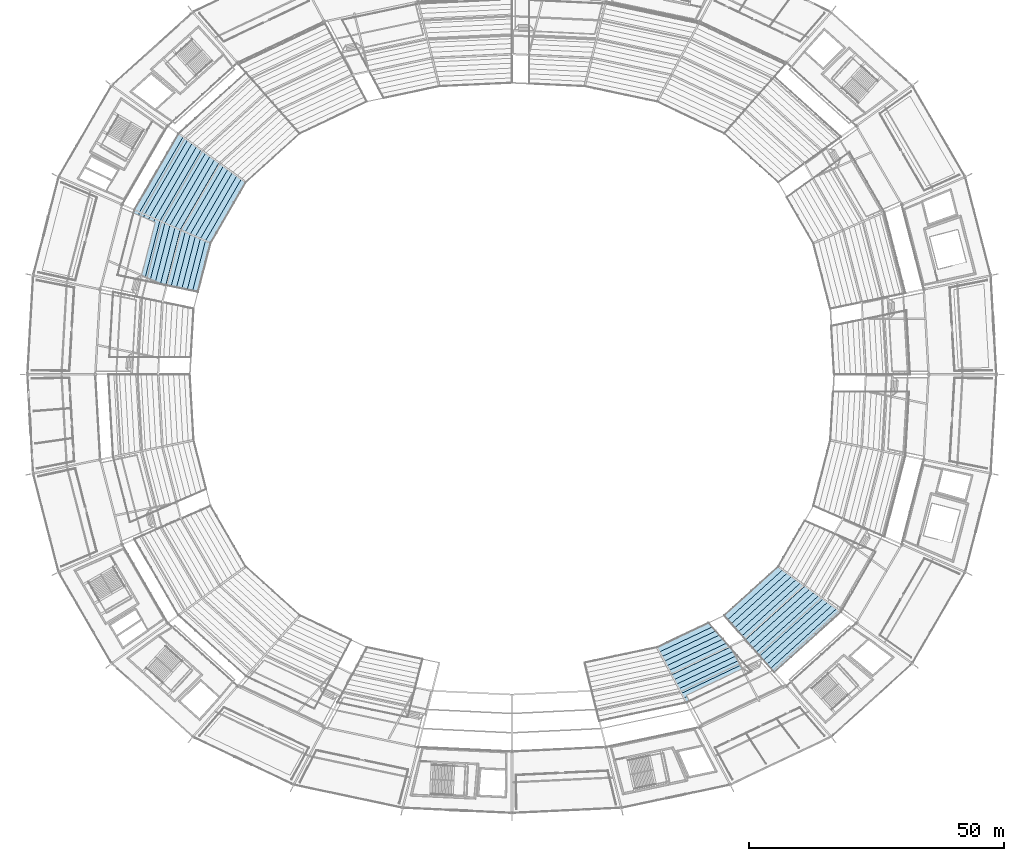
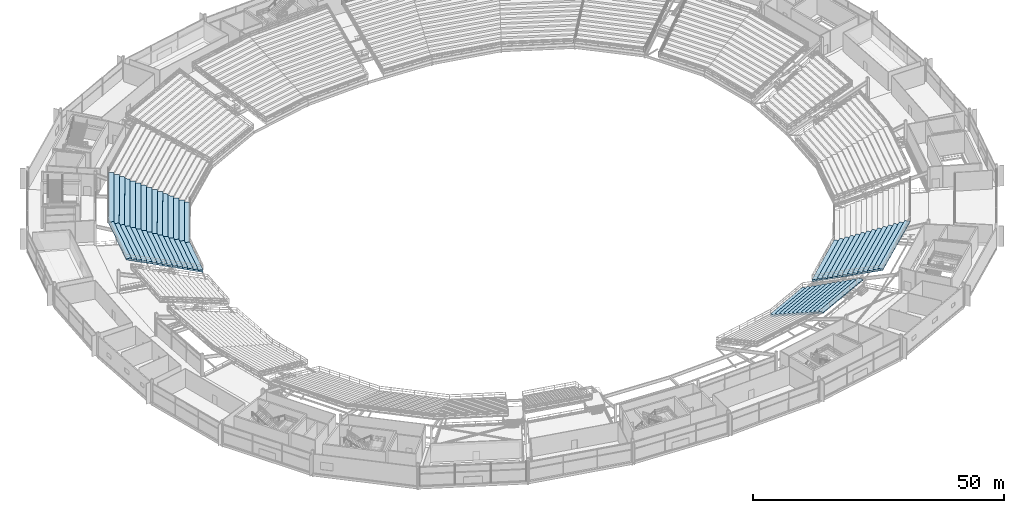
# One storey, part 135 of 186: 4 slabs.
"""IFC4 building model written with IfcOpenShell, lengths in metres."""

from ifc_helpers import new_model, si_unit, direction, frame, origin, place, context, subcontext, project, spatial, polygons, material, layer, layer_set, type_object, element, save


model = new_model("IFC4")

# Units and contexts
model_context = context("Model", 3, precision=1e-05, world=origin(), true_north=direction((0.0, 1.0)))
body_context = subcontext(model_context, "Body", "Model", "MODEL_VIEW")
ifc_project = project(units=[si_unit("LENGTHUNIT", "METRE"), si_unit("AREAUNIT", "SQUARE_METRE"), si_unit("VOLUMEUNIT", "CUBIC_METRE"), si_unit("PLANEANGLEUNIT", "RADIAN"), si_unit("MASSUNIT", "GRAM", prefix="KILO")], contexts=[model_context])

# Site, building, storey
site_placement = place(None, origin())
site = spatial("IfcSite", under=ifc_project, at=site_placement, CompositionType="ELEMENT")
building_placement = place(site_placement, origin())
building = spatial("IfcBuilding", under=site, at=building_placement, Name="Kazemori Nagisa Stadium", CompositionType="ELEMENT")
storey_placement = place(building_placement, frame((0.0, 0.0, 20.39990234375)))
storey = spatial("IfcBuildingStorey", under=building, at=storey_placement, Name="L04", CompositionType="ELEMENT", Elevation=20.39990234375)

# Slabs
ifc_material = material(Name="Concrete C36/45 (Fc36)", Category="concrete")
ifc_layer_1 = layer(ifc_material, 5.5400390625, Name="Concrete C36/45 (Fc36)", Category="concrete")
ifc_layer_set_1 = layer_set([ifc_layer_1], Name="Concrete C36/45 (Fc36)")
slab_type_1 = type_object("IfcSlabType", Name="SeatingTier_ST-UP-12S", PredefinedType="USERDEFINED", material=ifc_layer_set_1)
slab_1_placement = place(storey_placement, frame((0.0, 0.0, -20.39990234375)))
element("IfcSlab", 1, at=slab_1_placement, inside=storey, type_object=slab_type_1, Name="Stand upper tier bay 24", ObjectType="SEATING TIER", PredefinedType="USERDEFINED", context=body_context, shape_type="Tessellation", body=[
    polygons([(161.556640625, 53.28662109375, 18.820068359375), (161.556640625, 53.28662109375, 19.52001953125), (162.2578125, 52.49072265625, 19.52001953125), (162.2578125, 52.49072265625, 19.9599609375), (162.958984375, 51.69482421875, 19.9599609375), (162.958984375, 51.69482421875, 20.39990234375), (163.659912109375, 50.89892578125, 20.39990234375), (163.659912109375, 50.89892578125, 20.83984375), (164.361083984375, 50.103271484375, 20.83984375), (164.361083984375, 50.103271484375, 21.27978515625), (165.062255859375, 49.307373046875, 21.27978515625), (165.062255859375, 49.307373046875, 21.7197265625), (165.76318359375, 48.511474609375, 21.7197265625), (165.76318359375, 48.511474609375, 22.15966796875), (166.46435546875, 47.715576171875, 22.15966796875), (166.46435546875, 47.715576171875, 22.599609375), (167.16552734375, 46.919677734375, 22.599609375), (167.16552734375, 46.919677734375, 23.03955078125), (167.86669921875, 46.1240234375, 23.03955078125), (167.86669921875, 46.1240234375, 23.4794921875), (168.56787109375, 45.328125, 23.4794921875), (168.56787109375, 45.328125, 23.91943359375), (169.268798828125, 44.5322265625, 23.91943359375), (169.268798828125, 44.5322265625, 24.359375), (169.969970703125, 43.736328125, 24.359375), (169.969970703125, 43.736328125, 24.099365234375), (169.268798828125, 44.5322265625, 23.659423828125), (168.56787109375, 45.328125, 23.219482421875), (167.86669921875, 46.1240234375, 22.779541015625), (167.16552734375, 46.919677734375, 22.339599609375), (166.46435546875, 47.715576171875, 21.899658203125), (165.76318359375, 48.511474609375, 21.459716796875), (165.062255859375, 49.307373046875, 21.019775390625), (164.361083984375, 50.103271484375, 20.579833984375), (163.659912109375, 50.89892578125, 20.139892578125), (162.958984375, 51.69482421875, 19.699951171875), (162.2578125, 52.49072265625, 19.260009765625), (151.465087890625, 48.4912109375, 18.820068359375), (151.465087890625, 48.4912109375, 19.52001953125), (151.944580078125, 47.590087890625, 19.52001953125), (151.944580078125, 47.590087890625, 19.9599609375), (152.423828125, 46.688720703125, 19.9599609375), (152.423828125, 46.688720703125, 20.39990234375), (152.9033203125, 45.78759765625, 20.39990234375), (152.9033203125, 45.78759765625, 20.83984375), (153.3828125, 44.886474609375, 20.83984375), (153.3828125, 44.886474609375, 21.27978515625), (153.862060546875, 43.985107421875, 21.27978515625), (153.862060546875, 43.985107421875, 21.7197265625), (154.341552734375, 43.083984375, 21.7197265625), (154.341552734375, 43.083984375, 22.15966796875), (154.821044921875, 42.182861328125, 22.15966796875), (154.821044921875, 42.182861328125, 22.599609375), (155.30029296875, 41.281494140625, 22.599609375), (155.30029296875, 41.281494140625, 23.03955078125), (155.77978515625, 40.38037109375, 23.03955078125), (155.77978515625, 40.38037109375, 23.4794921875), (156.25927734375, 39.479248046875, 23.4794921875), (156.25927734375, 39.479248046875, 23.91943359375), (156.738525390625, 38.577880859375, 23.91943359375), (156.738525390625, 38.577880859375, 24.359375), (157.218017578125, 37.6767578125, 24.359375), (157.218017578125, 37.6767578125, 24.099365234375), (156.738525390625, 38.577880859375, 23.659423828125), (156.25927734375, 39.479248046875, 23.219482421875), (155.77978515625, 40.38037109375, 22.779541015625), (155.30029296875, 41.281494140625, 22.339599609375), (154.821044921875, 42.182861328125, 21.899658203125), (154.341552734375, 43.083984375, 21.459716796875), (153.862060546875, 43.985107421875, 21.019775390625), (153.3828125, 44.886474609375, 20.579833984375), (152.9033203125, 45.78759765625, 20.139892578125), (152.423828125, 46.688720703125, 19.699951171875), (151.944580078125, 47.590087890625, 19.260009765625)], [[[1, 38, 39]], [[1, 39, 2]], [[2, 39, 40]], [[2, 40, 3]], [[3, 40, 41]], [[3, 41, 4]], [[4, 41, 42]], [[4, 42, 5]], [[5, 42, 43]], [[5, 43, 6]], [[6, 43, 44]], [[6, 44, 7]], [[7, 44, 45]], [[7, 45, 8]], [[8, 45, 46]], [[8, 46, 9]], [[9, 46, 47]], [[9, 47, 10]], [[10, 47, 48]], [[10, 48, 11]], [[11, 48, 49]], [[11, 49, 12]], [[12, 49, 50]], [[12, 50, 13]], [[13, 50, 51]], [[13, 51, 14]], [[14, 51, 52]], [[14, 52, 15]], [[15, 52, 53]], [[15, 53, 16]], [[16, 53, 54]], [[16, 54, 17]], [[17, 54, 55]], [[17, 55, 18]], [[18, 55, 56]], [[18, 56, 19]], [[19, 56, 57]], [[19, 57, 20]], [[20, 57, 58]], [[20, 58, 21]], [[21, 58, 59]], [[21, 59, 22]], [[22, 59, 60]], [[22, 60, 23]], [[23, 60, 61]], [[23, 61, 24]], [[24, 61, 62]], [[24, 62, 25]], [[25, 62, 63]], [[25, 63, 26]], [[26, 63, 27]], [[27, 63, 64]], [[27, 64, 28]], [[28, 64, 65]], [[28, 65, 29]], [[29, 65, 66]], [[29, 66, 30]], [[30, 66, 67]], [[30, 67, 31]], [[31, 67, 68]], [[31, 68, 32]], [[32, 68, 69]], [[32, 69, 33]], [[33, 69, 70]], [[33, 70, 34]], [[34, 70, 71]], [[34, 71, 35]], [[35, 71, 72]], [[35, 72, 36]], [[36, 72, 73]], [[36, 73, 37]], [[37, 73, 74]], [[37, 74, 1]], [[1, 74, 38]], [[1, 2, 3]], [[40, 39, 38]], [[1, 3, 37]], [[74, 40, 38]], [[37, 3, 36]], [[73, 40, 74]], [[36, 3, 5]], [[42, 40, 73]], [[3, 4, 5]], [[42, 41, 40]], [[36, 5, 35]], [[72, 42, 73]], [[35, 5, 7]], [[44, 42, 72]], [[5, 6, 7]], [[44, 43, 42]], [[35, 7, 34]], [[71, 44, 72]], [[34, 7, 9]], [[46, 44, 71]], [[7, 8, 9]], [[46, 45, 44]], [[34, 9, 33]], [[70, 46, 71]], [[33, 9, 11]], [[48, 46, 70]], [[9, 10, 11]], [[48, 47, 46]], [[33, 11, 32]], [[69, 48, 70]], [[32, 11, 13]], [[50, 48, 69]], [[11, 12, 13]], [[50, 49, 48]], [[32, 13, 31]], [[68, 50, 69]], [[31, 13, 15]], [[52, 50, 68]], [[13, 14, 15]], [[52, 51, 50]], [[31, 15, 30]], [[67, 52, 68]], [[30, 15, 17]], [[54, 52, 67]], [[15, 16, 17]], [[54, 53, 52]], [[30, 17, 29]], [[66, 54, 67]], [[29, 17, 19]], [[56, 54, 66]], [[17, 18, 19]], [[56, 55, 54]], [[29, 19, 28]], [[65, 56, 66]], [[28, 19, 21]], [[58, 56, 65]], [[19, 20, 21]], [[58, 57, 56]], [[28, 21, 27]], [[64, 58, 65]], [[27, 21, 23]], [[60, 58, 64]], [[21, 22, 23]], [[60, 59, 58]], [[27, 23, 26]], [[63, 60, 64]], [[26, 23, 25]], [[62, 60, 63]], [[23, 24, 25]], [[62, 61, 60]]], closed=True),
])
ifc_layer_2 = layer(ifc_material, 6.419921875, Name="Concrete C36/45 (Fc36)", Category="concrete")
ifc_layer_set_2 = layer_set([ifc_layer_2], Name="Concrete C36/45 (Fc36)")
slab_type_2 = type_object("IfcSlabType", Name="SeatingTier_ST-UP-14E", PredefinedType="USERDEFINED", material=ifc_layer_set_2)
slab_2_placement = place(storey_placement, frame((0.0, 0.0, -20.39990234375)))
element("IfcSlab", 2, at=slab_2_placement, inside=storey, type_object=slab_type_2, Name="Stand upper tier bay 25", ObjectType="SEATING TIER", PredefinedType="USERDEFINED", context=body_context, shape_type="Tessellation", body=[
    polygons([(175.199462890625, 64.31591796875, 18.820068359375), (175.199462890625, 64.31591796875, 19.52001953125), (176.07861328125, 63.68115234375, 19.52001953125), (176.07861328125, 63.68115234375, 19.9599609375), (176.957763671875, 63.046630859375, 19.9599609375), (176.957763671875, 63.046630859375, 20.39990234375), (177.8369140625, 62.411865234375, 20.39990234375), (177.8369140625, 62.411865234375, 20.83984375), (178.716064453125, 61.777099609375, 20.83984375), (178.716064453125, 61.777099609375, 21.27978515625), (179.59521484375, 61.142578125, 21.27978515625), (179.59521484375, 61.142578125, 21.7197265625), (180.474365234375, 60.5078125, 21.7197265625), (180.474365234375, 60.5078125, 22.15966796875), (181.353515625, 59.873046875, 22.15966796875), (181.353515625, 59.873046875, 22.599609375), (182.232666015625, 59.238525390625, 22.599609375), (182.232666015625, 59.238525390625, 23.03955078125), (183.11181640625, 58.603759765625, 23.03955078125), (183.11181640625, 58.603759765625, 23.4794921875), (183.990966796875, 57.96923828125, 23.4794921875), (183.990966796875, 57.96923828125, 23.91943359375), (184.8701171875, 57.33447265625, 23.91943359375), (184.8701171875, 57.33447265625, 24.359375), (185.749267578125, 56.69970703125, 24.359375), (185.749267578125, 56.69970703125, 24.79931640625), (186.62841796875, 56.065185546875, 24.79931640625), (186.62841796875, 56.065185546875, 25.2392578125), (187.507568359375, 55.430419921875, 25.2392578125), (187.507568359375, 55.430419921875, 24.979248046875), (186.62841796875, 56.065185546875, 24.539306640625), (185.749267578125, 56.69970703125, 24.099365234375), (184.8701171875, 57.33447265625, 23.659423828125), (183.990966796875, 57.96923828125, 23.219482421875), (183.11181640625, 58.603759765625, 22.779541015625), (182.232666015625, 59.238525390625, 22.339599609375), (181.353515625, 59.873046875, 21.899658203125), (180.474365234375, 60.5078125, 21.459716796875), (179.59521484375, 61.142578125, 21.019775390625), (178.716064453125, 61.777099609375, 20.579833984375), (177.8369140625, 62.411865234375, 20.139892578125), (176.957763671875, 63.046630859375, 19.699951171875), (176.07861328125, 63.68115234375, 19.260009765625), (164.627685546875, 54.745849609375, 18.820068359375), (164.627685546875, 54.745849609375, 19.52001953125), (165.328857421875, 53.949951171875, 19.52001953125), (165.328857421875, 53.949951171875, 19.9599609375), (166.02978515625, 53.154052734375, 19.9599609375), (166.02978515625, 53.154052734375, 20.39990234375), (166.73095703125, 52.358154296875, 20.39990234375), (166.73095703125, 52.358154296875, 20.83984375), (167.43212890625, 51.5625, 20.83984375), (167.43212890625, 51.5625, 21.27978515625), (168.13330078125, 50.7666015625, 21.27978515625), (168.13330078125, 50.7666015625, 21.7197265625), (168.834228515625, 49.970703125, 21.7197265625), (168.834228515625, 49.970703125, 22.15966796875), (169.535400390625, 49.1748046875, 22.15966796875), (169.535400390625, 49.1748046875, 22.599609375), (170.236572265625, 48.37890625, 22.599609375), (170.236572265625, 48.37890625, 23.03955078125), (170.9375, 47.5830078125, 23.03955078125), (170.9375, 47.5830078125, 23.4794921875), (171.638671875, 46.787109375, 23.4794921875), (171.638671875, 46.787109375, 23.91943359375), (172.33984375, 45.991455078125, 23.91943359375), (172.33984375, 45.991455078125, 24.359375), (173.041015625, 45.195556640625, 24.359375), (173.041015625, 45.195556640625, 24.79931640625), (173.741943359375, 44.399658203125, 24.79931640625), (173.741943359375, 44.399658203125, 25.2392578125), (174.443115234375, 43.603759765625, 25.2392578125), (174.443115234375, 43.603759765625, 24.979248046875), (173.741943359375, 44.399658203125, 24.539306640625), (173.041015625, 45.195556640625, 24.099365234375), (172.33984375, 45.991455078125, 23.659423828125), (171.638671875, 46.787109375, 23.219482421875), (170.9375, 47.5830078125, 22.779541015625), (170.236572265625, 48.37890625, 22.339599609375), (169.535400390625, 49.1748046875, 21.899658203125), (168.834228515625, 49.970703125, 21.459716796875), (168.13330078125, 50.7666015625, 21.019775390625), (167.43212890625, 51.5625, 20.579833984375), (166.73095703125, 52.358154296875, 20.139892578125), (166.02978515625, 53.154052734375, 19.699951171875), (165.328857421875, 53.949951171875, 19.260009765625)], [[[1, 44, 45]], [[1, 45, 2]], [[2, 45, 46]], [[2, 46, 3]], [[3, 46, 47]], [[3, 47, 4]], [[4, 47, 48]], [[4, 48, 5]], [[5, 48, 49]], [[5, 49, 6]], [[6, 49, 50]], [[6, 50, 7]], [[7, 50, 51]], [[7, 51, 8]], [[8, 51, 52]], [[8, 52, 9]], [[9, 52, 53]], [[9, 53, 10]], [[10, 53, 54]], [[10, 54, 11]], [[11, 54, 55]], [[11, 55, 12]], [[12, 55, 56]], [[12, 56, 13]], [[13, 56, 57]], [[13, 57, 14]], [[14, 57, 58]], [[14, 58, 15]], [[15, 58, 59]], [[15, 59, 16]], [[16, 59, 60]], [[16, 60, 17]], [[17, 60, 61]], [[17, 61, 18]], [[18, 61, 62]], [[18, 62, 19]], [[19, 62, 63]], [[19, 63, 20]], [[20, 63, 64]], [[20, 64, 21]], [[21, 64, 65]], [[21, 65, 22]], [[22, 65, 66]], [[22, 66, 23]], [[23, 66, 67]], [[23, 67, 24]], [[24, 67, 68]], [[24, 68, 25]], [[25, 68, 69]], [[25, 69, 26]], [[26, 69, 70]], [[26, 70, 27]], [[27, 70, 71]], [[27, 71, 28]], [[28, 71, 72]], [[28, 72, 29]], [[29, 72, 73]], [[29, 73, 30]], [[30, 73, 31]], [[31, 73, 74]], [[31, 74, 32]], [[32, 74, 75]], [[32, 75, 33]], [[33, 75, 76]], [[33, 76, 34]], [[34, 76, 77]], [[34, 77, 35]], [[35, 77, 78]], [[35, 78, 36]], [[36, 78, 79]], [[36, 79, 37]], [[37, 79, 80]], [[37, 80, 38]], [[38, 80, 81]], [[38, 81, 39]], [[39, 81, 82]], [[39, 82, 40]], [[40, 82, 83]], [[40, 83, 41]], [[41, 83, 84]], [[41, 84, 42]], [[42, 84, 85]], [[42, 85, 43]], [[43, 85, 86]], [[43, 86, 1]], [[1, 86, 44]], [[1, 2, 3]], [[46, 45, 44]], [[1, 3, 43]], [[86, 46, 44]], [[43, 3, 42]], [[85, 46, 86]], [[42, 3, 5]], [[48, 46, 85]], [[3, 4, 5]], [[48, 47, 46]], [[42, 5, 41]], [[84, 48, 85]], [[41, 5, 7]], [[50, 48, 84]], [[5, 6, 7]], [[50, 49, 48]], [[41, 7, 40]], [[83, 50, 84]], [[40, 7, 9]], [[52, 50, 83]], [[7, 8, 9]], [[52, 51, 50]], [[40, 9, 39]], [[82, 52, 83]], [[39, 9, 11]], [[54, 52, 82]], [[9, 10, 11]], [[54, 53, 52]], [[39, 11, 38]], [[81, 54, 82]], [[38, 11, 13]], [[56, 54, 81]], [[11, 12, 13]], [[56, 55, 54]], [[38, 13, 37]], [[80, 56, 81]], [[37, 13, 15]], [[58, 56, 80]], [[13, 14, 15]], [[58, 57, 56]], [[37, 15, 36]], [[79, 58, 80]], [[36, 15, 17]], [[60, 58, 79]], [[15, 16, 17]], [[60, 59, 58]], [[36, 17, 35]], [[78, 60, 79]], [[35, 17, 19]], [[62, 60, 78]], [[17, 18, 19]], [[62, 61, 60]], [[35, 19, 34]], [[77, 62, 78]], [[34, 19, 21]], [[64, 62, 77]], [[19, 20, 21]], [[64, 63, 62]], [[34, 21, 33]], [[76, 64, 77]], [[33, 21, 23]], [[66, 64, 76]], [[21, 22, 23]], [[66, 65, 64]], [[33, 23, 32]], [[75, 66, 76]], [[32, 23, 25]], [[68, 66, 75]], [[23, 24, 25]], [[68, 67, 66]], [[32, 25, 31]], [[74, 68, 75]], [[31, 25, 27]], [[70, 68, 74]], [[25, 26, 27]], [[70, 69, 68]], [[31, 27, 30]], [[73, 70, 74]], [[30, 27, 29]], [[72, 70, 73]], [[27, 28, 29]], [[72, 71, 70]]], closed=True),
])
ifc_layer_3 = layer(ifc_material, 6.860107421875, Name="Concrete C36/45 (Fc36)", Category="concrete")
ifc_layer_set_3 = layer_set([ifc_layer_3], Name="Concrete C36/45 (Fc36)")
slab_type_3 = type_object("IfcSlabType", Name="SeatingTier_ST-UP-15W", PredefinedType="USERDEFINED", material=ifc_layer_set_3)
slab_3_placement = place(storey_placement, frame((0.0, 0.0, -20.39990234375)))
element("IfcSlab", 3, at=slab_3_placement, inside=storey, type_object=slab_type_3, Name="Stand upper tier bay 12", ObjectType="SEATING TIER", PredefinedType="USERDEFINED", context=body_context, shape_type="Tessellation", body=[
    polygons([(63.8916015625, 127.7685546875, 18.820068359375), (63.8916015625, 127.7685546875, 19.52001953125), (62.89599609375, 128.20263671875, 19.52001953125), (62.89599609375, 128.20263671875, 19.9599609375), (61.900634765625, 128.636474609375, 19.9599609375), (61.900634765625, 128.636474609375, 20.39990234375), (60.905029296875, 129.070556640625, 20.39990234375), (60.905029296875, 129.070556640625, 20.83984375), (59.909423828125, 129.50439453125, 20.83984375), (59.909423828125, 129.50439453125, 21.27978515625), (58.9140625, 129.9384765625, 21.27978515625), (58.9140625, 129.9384765625, 21.7197265625), (57.91845703125, 130.37255859375, 21.7197265625), (57.91845703125, 130.37255859375, 22.15966796875), (56.9228515625, 130.806396484375, 22.15966796875), (56.9228515625, 130.806396484375, 22.599609375), (55.927490234375, 131.240478515625, 22.599609375), (55.927490234375, 131.240478515625, 23.03955078125), (54.931884765625, 131.67431640625, 23.03955078125), (54.931884765625, 131.67431640625, 23.4794921875), (53.936279296875, 132.1083984375, 23.4794921875), (53.936279296875, 132.1083984375, 23.91943359375), (52.94091796875, 132.54248046875, 23.91943359375), (52.94091796875, 132.54248046875, 24.359375), (51.9453125, 132.976318359375, 24.359375), (51.9453125, 132.976318359375, 24.79931640625), (50.94970703125, 133.410400390625, 24.79931640625), (50.94970703125, 133.410400390625, 25.2392578125), (49.954345703125, 133.84423828125, 25.2392578125), (49.954345703125, 133.84423828125, 25.67919921875), (48.958740234375, 134.2783203125, 25.67919921875), (48.958740234375, 134.2783203125, 25.419189453125), (49.954345703125, 133.84423828125, 24.979248046875), (50.94970703125, 133.410400390625, 24.539306640625), (51.9453125, 132.976318359375, 24.099365234375), (52.94091796875, 132.54248046875, 23.659423828125), (53.936279296875, 132.1083984375, 23.219482421875), (54.931884765625, 131.67431640625, 22.779541015625), (55.927490234375, 131.240478515625, 22.339599609375), (56.9228515625, 130.806396484375, 21.899658203125), (57.91845703125, 130.37255859375, 21.459716796875), (58.9140625, 129.9384765625, 21.019775390625), (59.909423828125, 129.50439453125, 20.579833984375), (60.905029296875, 129.070556640625, 20.139892578125), (61.900634765625, 128.636474609375, 19.699951171875), (62.89599609375, 128.20263671875, 19.260009765625), (70.800537109375, 139.68408203125, 18.820068359375), (70.800537109375, 139.68408203125, 19.52001953125), (69.92138671875, 140.31884765625, 19.52001953125), (69.92138671875, 140.31884765625, 19.9599609375), (69.042236328125, 140.953369140625, 19.9599609375), (69.042236328125, 140.953369140625, 20.39990234375), (68.1630859375, 141.588134765625, 20.39990234375), (68.1630859375, 141.588134765625, 20.83984375), (67.283935546875, 142.22265625, 20.83984375), (67.283935546875, 142.22265625, 21.27978515625), (66.40478515625, 142.857421875, 21.27978515625), (66.40478515625, 142.857421875, 21.7197265625), (65.525634765625, 143.4921875, 21.7197265625), (65.525634765625, 143.4921875, 22.15966796875), (64.646484375, 144.126708984375, 22.15966796875), (64.646484375, 144.126708984375, 22.599609375), (63.767333984375, 144.761474609375, 22.599609375), (63.767333984375, 144.761474609375, 23.03955078125), (62.88818359375, 145.39599609375, 23.03955078125), (62.88818359375, 145.39599609375, 23.4794921875), (62.009033203125, 146.03076171875, 23.4794921875), (62.009033203125, 146.03076171875, 23.91943359375), (61.1298828125, 146.66552734375, 23.91943359375), (61.1298828125, 146.66552734375, 24.359375), (60.250732421875, 147.300048828125, 24.359375), (60.250732421875, 147.300048828125, 24.79931640625), (59.37158203125, 147.934814453125, 24.79931640625), (59.37158203125, 147.934814453125, 25.2392578125), (58.492431640625, 148.5693359375, 25.2392578125), (58.492431640625, 148.5693359375, 25.67919921875), (57.61328125, 149.2041015625, 25.67919921875), (57.61328125, 149.2041015625, 25.419189453125), (58.492431640625, 148.5693359375, 24.979248046875), (59.37158203125, 147.934814453125, 24.539306640625), (60.250732421875, 147.300048828125, 24.099365234375), (61.1298828125, 146.66552734375, 23.659423828125), (62.009033203125, 146.03076171875, 23.219482421875), (62.88818359375, 145.39599609375, 22.779541015625), (63.767333984375, 144.761474609375, 22.339599609375), (64.646484375, 144.126708984375, 21.899658203125), (65.525634765625, 143.4921875, 21.459716796875), (66.40478515625, 142.857421875, 21.019775390625), (67.283935546875, 142.22265625, 20.579833984375), (68.1630859375, 141.588134765625, 20.139892578125), (69.042236328125, 140.953369140625, 19.699951171875), (69.92138671875, 140.31884765625, 19.260009765625)], [[[1, 47, 48]], [[1, 48, 2]], [[2, 48, 49]], [[2, 49, 3]], [[3, 49, 50]], [[3, 50, 4]], [[4, 50, 51]], [[4, 51, 5]], [[5, 51, 52]], [[5, 52, 6]], [[6, 52, 53]], [[6, 53, 7]], [[7, 53, 54]], [[7, 54, 8]], [[8, 54, 55]], [[8, 55, 9]], [[9, 55, 56]], [[9, 56, 10]], [[10, 56, 57]], [[10, 57, 11]], [[11, 57, 58]], [[11, 58, 12]], [[12, 58, 59]], [[12, 59, 13]], [[13, 59, 60]], [[13, 60, 14]], [[14, 60, 61]], [[14, 61, 15]], [[15, 61, 62]], [[15, 62, 16]], [[16, 62, 63]], [[16, 63, 17]], [[17, 63, 64]], [[17, 64, 18]], [[18, 64, 65]], [[18, 65, 19]], [[19, 65, 66]], [[19, 66, 20]], [[20, 66, 67]], [[20, 67, 21]], [[21, 67, 68]], [[21, 68, 22]], [[22, 68, 69]], [[22, 69, 23]], [[23, 69, 70]], [[23, 70, 24]], [[24, 70, 71]], [[24, 71, 25]], [[25, 71, 72]], [[25, 72, 26]], [[26, 72, 73]], [[26, 73, 27]], [[27, 73, 74]], [[27, 74, 28]], [[28, 74, 75]], [[28, 75, 29]], [[29, 75, 76]], [[29, 76, 30]], [[30, 76, 77]], [[30, 77, 31]], [[31, 77, 78]], [[31, 78, 32]], [[32, 78, 33]], [[33, 78, 79]], [[33, 79, 34]], [[34, 79, 80]], [[34, 80, 35]], [[35, 80, 81]], [[35, 81, 36]], [[36, 81, 82]], [[36, 82, 37]], [[37, 82, 83]], [[37, 83, 38]], [[38, 83, 84]], [[38, 84, 39]], [[39, 84, 85]], [[39, 85, 40]], [[40, 85, 86]], [[40, 86, 41]], [[41, 86, 87]], [[41, 87, 42]], [[42, 87, 88]], [[42, 88, 43]], [[43, 88, 89]], [[43, 89, 44]], [[44, 89, 90]], [[44, 90, 45]], [[45, 90, 91]], [[45, 91, 46]], [[46, 91, 92]], [[46, 92, 1]], [[1, 92, 47]], [[1, 2, 3]], [[49, 48, 47]], [[1, 3, 46]], [[92, 49, 47]], [[46, 3, 45]], [[91, 49, 92]], [[45, 3, 5]], [[51, 49, 91]], [[3, 4, 5]], [[51, 50, 49]], [[45, 5, 44]], [[90, 51, 91]], [[44, 5, 7]], [[53, 51, 90]], [[5, 6, 7]], [[53, 52, 51]], [[44, 7, 43]], [[89, 53, 90]], [[43, 7, 9]], [[55, 53, 89]], [[7, 8, 9]], [[55, 54, 53]], [[43, 9, 42]], [[88, 55, 89]], [[42, 9, 11]], [[57, 55, 88]], [[9, 10, 11]], [[57, 56, 55]], [[42, 11, 41]], [[87, 57, 88]], [[41, 11, 13]], [[59, 57, 87]], [[11, 12, 13]], [[59, 58, 57]], [[41, 13, 40]], [[86, 59, 87]], [[40, 13, 15]], [[61, 59, 86]], [[13, 14, 15]], [[61, 60, 59]], [[40, 15, 39]], [[85, 61, 86]], [[39, 15, 17]], [[63, 61, 85]], [[15, 16, 17]], [[63, 62, 61]], [[39, 17, 38]], [[84, 63, 85]], [[38, 17, 19]], [[65, 63, 84]], [[17, 18, 19]], [[65, 64, 63]], [[38, 19, 37]], [[83, 65, 84]], [[37, 19, 21]], [[67, 65, 83]], [[19, 20, 21]], [[67, 66, 65]], [[37, 21, 36]], [[82, 67, 83]], [[36, 21, 23]], [[69, 67, 82]], [[21, 22, 23]], [[69, 68, 67]], [[36, 23, 35]], [[81, 69, 82]], [[35, 23, 25]], [[71, 69, 81]], [[23, 24, 25]], [[71, 70, 69]], [[35, 25, 34]], [[80, 71, 81]], [[34, 25, 27]], [[73, 71, 80]], [[25, 26, 27]], [[73, 72, 71]], [[34, 27, 33]], [[79, 73, 80]], [[33, 27, 29]], [[75, 73, 79]], [[27, 28, 29]], [[75, 74, 73]], [[33, 29, 32]], [[78, 75, 79]], [[32, 29, 31]], [[77, 75, 78]], [[29, 30, 31]], [[77, 76, 75]]], closed=True),
])
slab_4_placement = place(storey_placement, frame((0.0, 0.0, -20.39990234375)))
element("IfcSlab", 4, at=slab_4_placement, inside=storey, type_object=slab_type_3, Name="Stand upper tier bay 13", ObjectType="SEATING TIER", PredefinedType="USERDEFINED", context=body_context, shape_type="Tessellation", body=[
    polygons([(61.419189453125, 118.191650390625, 18.820068359375), (61.419189453125, 118.191650390625, 19.52001953125), (60.36767578125, 118.408935546875, 19.52001953125), (60.36767578125, 118.408935546875, 19.9599609375), (59.316162109375, 118.626220703125, 19.9599609375), (59.316162109375, 118.626220703125, 20.39990234375), (58.264892578125, 118.843505859375, 20.39990234375), (58.264892578125, 118.843505859375, 20.83984375), (57.21337890625, 119.060546875, 20.83984375), (57.21337890625, 119.060546875, 21.27978515625), (56.161865234375, 119.27783203125, 21.27978515625), (56.161865234375, 119.27783203125, 21.7197265625), (55.1103515625, 119.4951171875, 21.7197265625), (55.1103515625, 119.4951171875, 22.15966796875), (54.058837890625, 119.71240234375, 22.15966796875), (54.058837890625, 119.71240234375, 22.599609375), (53.007568359375, 119.9296875, 22.599609375), (53.007568359375, 119.9296875, 23.03955078125), (51.9560546875, 120.14697265625, 23.03955078125), (51.9560546875, 120.14697265625, 23.4794921875), (50.904541015625, 120.3642578125, 23.4794921875), (50.904541015625, 120.3642578125, 23.91943359375), (49.85302734375, 120.58154296875, 23.91943359375), (49.85302734375, 120.58154296875, 24.359375), (48.801513671875, 120.798583984375, 24.359375), (48.801513671875, 120.798583984375, 24.79931640625), (47.750244140625, 121.015869140625, 24.79931640625), (47.750244140625, 121.015869140625, 25.2392578125), (46.69873046875, 121.233154296875, 25.2392578125), (46.69873046875, 121.233154296875, 25.67919921875), (45.647216796875, 121.450439453125, 25.67919921875), (45.647216796875, 121.450439453125, 25.419189453125), (46.69873046875, 121.233154296875, 24.979248046875), (47.750244140625, 121.015869140625, 24.539306640625), (48.801513671875, 120.798583984375, 24.099365234375), (49.85302734375, 120.58154296875, 23.659423828125), (50.904541015625, 120.3642578125, 23.219482421875), (51.9560546875, 120.14697265625, 22.779541015625), (53.007568359375, 119.9296875, 22.339599609375), (54.058837890625, 119.71240234375, 21.899658203125), (55.1103515625, 119.4951171875, 21.459716796875), (56.161865234375, 119.27783203125, 21.019775390625), (57.21337890625, 119.060546875, 20.579833984375), (58.264892578125, 118.843505859375, 20.139892578125), (59.316162109375, 118.626220703125, 19.699951171875), (60.36767578125, 118.408935546875, 19.260009765625), (63.8916015625, 127.7685546875, 18.820068359375), (63.8916015625, 127.7685546875, 19.52001953125), (62.89599609375, 128.20263671875, 19.52001953125), (62.89599609375, 128.20263671875, 19.9599609375), (61.900634765625, 128.636474609375, 19.9599609375), (61.900634765625, 128.636474609375, 20.39990234375), (60.905029296875, 129.070556640625, 20.39990234375), (60.905029296875, 129.070556640625, 20.83984375), (59.909423828125, 129.50439453125, 20.83984375), (59.909423828125, 129.50439453125, 21.27978515625), (58.9140625, 129.9384765625, 21.27978515625), (58.9140625, 129.9384765625, 21.7197265625), (57.91845703125, 130.37255859375, 21.7197265625), (57.91845703125, 130.37255859375, 22.15966796875), (56.9228515625, 130.806396484375, 22.15966796875), (56.9228515625, 130.806396484375, 22.599609375), (55.927490234375, 131.240478515625, 22.599609375), (55.927490234375, 131.240478515625, 23.03955078125), (54.931884765625, 131.67431640625, 23.03955078125), (54.931884765625, 131.67431640625, 23.4794921875), (53.936279296875, 132.1083984375, 23.4794921875), (53.936279296875, 132.1083984375, 23.91943359375), (52.94091796875, 132.54248046875, 23.91943359375), (52.94091796875, 132.54248046875, 24.359375), (51.9453125, 132.976318359375, 24.359375), (51.9453125, 132.976318359375, 24.79931640625), (50.94970703125, 133.410400390625, 24.79931640625), (50.94970703125, 133.410400390625, 25.2392578125), (49.954345703125, 133.84423828125, 25.2392578125), (49.954345703125, 133.84423828125, 25.67919921875), (48.958740234375, 134.2783203125, 25.67919921875), (48.958740234375, 134.2783203125, 25.419189453125), (49.954345703125, 133.84423828125, 24.979248046875), (50.94970703125, 133.410400390625, 24.539306640625), (51.9453125, 132.976318359375, 24.099365234375), (52.94091796875, 132.54248046875, 23.659423828125), (53.936279296875, 132.1083984375, 23.219482421875), (54.931884765625, 131.67431640625, 22.779541015625), (55.927490234375, 131.240478515625, 22.339599609375), (56.9228515625, 130.806396484375, 21.899658203125), (57.91845703125, 130.37255859375, 21.459716796875), (58.9140625, 129.9384765625, 21.019775390625), (59.909423828125, 129.50439453125, 20.579833984375), (60.905029296875, 129.070556640625, 20.139892578125), (61.900634765625, 128.636474609375, 19.699951171875), (62.89599609375, 128.20263671875, 19.260009765625)], [[[1, 47, 48]], [[1, 48, 2]], [[2, 48, 49]], [[2, 49, 3]], [[3, 49, 50]], [[3, 50, 4]], [[4, 50, 51]], [[4, 51, 5]], [[5, 51, 52]], [[5, 52, 6]], [[6, 52, 53]], [[6, 53, 7]], [[7, 53, 54]], [[7, 54, 8]], [[8, 54, 55]], [[8, 55, 9]], [[9, 55, 56]], [[9, 56, 10]], [[10, 56, 57]], [[10, 57, 11]], [[11, 57, 58]], [[11, 58, 12]], [[12, 58, 59]], [[12, 59, 13]], [[13, 59, 60]], [[13, 60, 14]], [[14, 60, 61]], [[14, 61, 15]], [[15, 61, 62]], [[15, 62, 16]], [[16, 62, 63]], [[16, 63, 17]], [[17, 63, 64]], [[17, 64, 18]], [[18, 64, 65]], [[18, 65, 19]], [[19, 65, 66]], [[19, 66, 20]], [[20, 66, 67]], [[20, 67, 21]], [[21, 67, 68]], [[21, 68, 22]], [[22, 68, 69]], [[22, 69, 23]], [[23, 69, 70]], [[23, 70, 24]], [[24, 70, 71]], [[24, 71, 25]], [[25, 71, 72]], [[25, 72, 26]], [[26, 72, 73]], [[26, 73, 27]], [[27, 73, 74]], [[27, 74, 28]], [[28, 74, 75]], [[28, 75, 29]], [[29, 75, 76]], [[29, 76, 30]], [[30, 76, 77]], [[30, 77, 31]], [[31, 77, 78]], [[31, 78, 32]], [[32, 78, 33]], [[33, 78, 79]], [[33, 79, 34]], [[34, 79, 80]], [[34, 80, 35]], [[35, 80, 81]], [[35, 81, 36]], [[36, 81, 82]], [[36, 82, 37]], [[37, 82, 83]], [[37, 83, 38]], [[38, 83, 84]], [[38, 84, 39]], [[39, 84, 85]], [[39, 85, 40]], [[40, 85, 86]], [[40, 86, 41]], [[41, 86, 87]], [[41, 87, 42]], [[42, 87, 88]], [[42, 88, 43]], [[43, 88, 89]], [[43, 89, 44]], [[44, 89, 90]], [[44, 90, 45]], [[45, 90, 91]], [[45, 91, 46]], [[46, 91, 92]], [[46, 92, 1]], [[1, 92, 47]], [[1, 2, 3]], [[49, 48, 47]], [[1, 3, 46]], [[92, 49, 47]], [[46, 3, 45]], [[91, 49, 92]], [[45, 3, 5]], [[51, 49, 91]], [[3, 4, 5]], [[51, 50, 49]], [[45, 5, 44]], [[90, 51, 91]], [[44, 5, 7]], [[53, 51, 90]], [[5, 6, 7]], [[53, 52, 51]], [[44, 7, 43]], [[89, 53, 90]], [[43, 7, 9]], [[55, 53, 89]], [[7, 8, 9]], [[55, 54, 53]], [[43, 9, 42]], [[88, 55, 89]], [[42, 9, 11]], [[57, 55, 88]], [[9, 10, 11]], [[57, 56, 55]], [[42, 11, 41]], [[87, 57, 88]], [[41, 11, 13]], [[59, 57, 87]], [[11, 12, 13]], [[59, 58, 57]], [[41, 13, 40]], [[86, 59, 87]], [[40, 13, 15]], [[61, 59, 86]], [[13, 14, 15]], [[61, 60, 59]], [[40, 15, 39]], [[85, 61, 86]], [[39, 15, 17]], [[63, 61, 85]], [[15, 16, 17]], [[63, 62, 61]], [[39, 17, 38]], [[84, 63, 85]], [[38, 17, 19]], [[65, 63, 84]], [[17, 18, 19]], [[65, 64, 63]], [[38, 19, 37]], [[83, 65, 84]], [[37, 19, 21]], [[67, 65, 83]], [[19, 20, 21]], [[67, 66, 65]], [[37, 21, 36]], [[82, 67, 83]], [[36, 21, 23]], [[69, 67, 82]], [[21, 22, 23]], [[69, 68, 67]], [[36, 23, 35]], [[81, 69, 82]], [[35, 23, 25]], [[71, 69, 81]], [[23, 24, 25]], [[71, 70, 69]], [[35, 25, 34]], [[80, 71, 81]], [[34, 25, 27]], [[73, 71, 80]], [[25, 26, 27]], [[73, 72, 71]], [[34, 27, 33]], [[79, 73, 80]], [[33, 27, 29]], [[75, 73, 79]], [[27, 28, 29]], [[75, 74, 73]], [[33, 29, 32]], [[78, 75, 79]], [[32, 29, 31]], [[77, 75, 78]], [[29, 30, 31]], [[77, 76, 75]]], closed=True),
])

save(model, "model.ifc")
